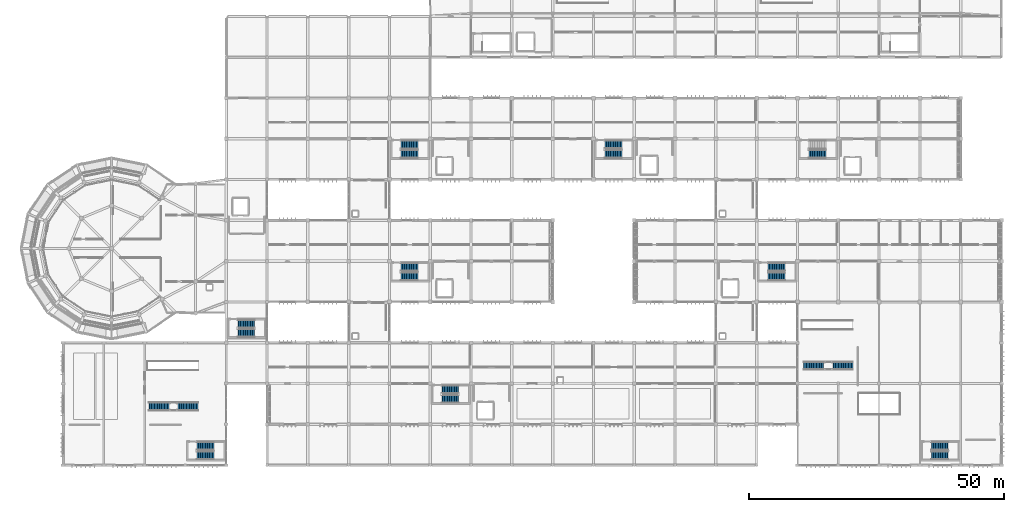
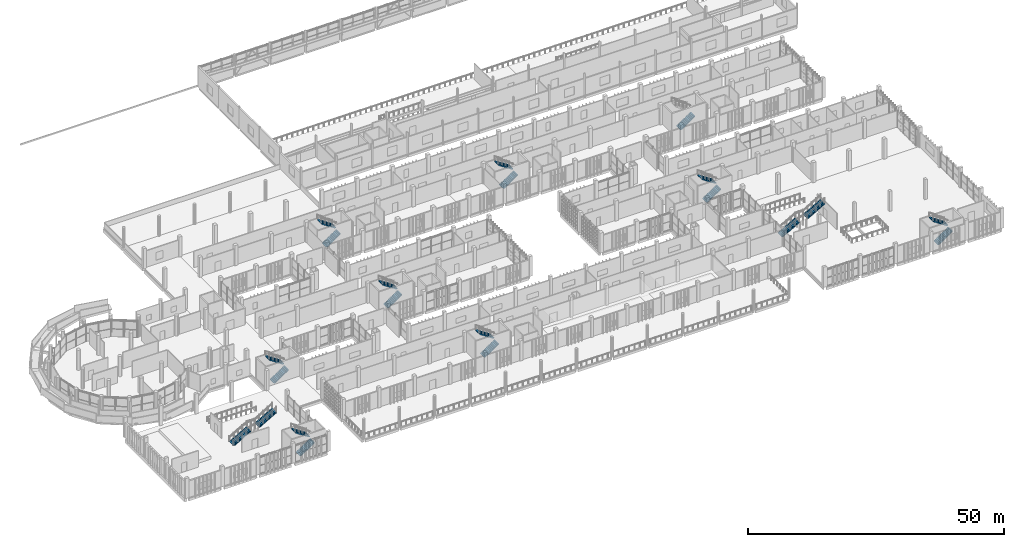
# One storey, part 93 of 106: 21 stair flights, 11 elements without a shape of their own.
"""IFC4 building model written with IfcOpenShell, lengths in metres."""

from ifc_helpers import new_model, si_unit, direction, frame, origin, place, context, subcontext, project, spatial, polyline, outline, extrude, material, type_object, element, aggregate, save


model = new_model("IFC4")

# Units and contexts
model_context = context("Model", 3, precision=1e-05, world=origin(), true_north=direction((0.0, 1.0)))
body_context = subcontext(model_context, "Body", "Model", "MODEL_VIEW")
ifc_project = project(units=[si_unit("LENGTHUNIT", "METRE"), si_unit("AREAUNIT", "SQUARE_METRE"), si_unit("VOLUMEUNIT", "CUBIC_METRE"), si_unit("PLANEANGLEUNIT", "RADIAN"), si_unit("MASSUNIT", "GRAM", prefix="KILO")], contexts=[model_context])

# Site, building, storey
site_placement = place(None, origin())
site = spatial("IfcSite", under=ifc_project, at=site_placement, CompositionType="ELEMENT")
building_placement = place(site_placement, origin())
building = spatial("IfcBuilding", under=site, at=building_placement, Name="Jelvoka-Kovrelna Polytechnic", CompositionType="ELEMENT")
storey_placement = place(building_placement, frame((0.0, 0.0, 4.800048828125)))
storey = spatial("IfcBuildingStorey", under=building, at=storey_placement, Name="L02", CompositionType="ELEMENT", Elevation=4.800048828125)

# Stair, stair flights
ifc_material_1 = material(Name="Concrete C35/45", Category="concrete")
stair_type_1 = type_object("IfcStairType", Name="Stair_Straight_1650", PredefinedType="STRAIGHT_RUN_STAIR", material=ifc_material_1)
stair_1_placement = place(storey_placement, origin())
stair_1 = element("IfcStair", 1, at=stair_1_placement, inside=storey, type_object=stair_type_1, Name="L02 straight feature stair ST15", PredefinedType="STRAIGHT_RUN_STAIR")
ifc_material_2 = material(Name="Concrete C35/45", Category="concrete")
stair_flight_type_1 = type_object("IfcStairFlightType", Name="Flight_RC_160", PredefinedType="STRAIGHT", material=ifc_material_2)
stair_flight_1_placement = place(storey_placement, frame((32.800048828125, 11.5, 0.0), z_axis=(0.0, 0.0, 1.0), x_axis=(1.0, 0.0, 0.0)))
stair_flight_1 = element("IfcStairFlight", 2, at=stair_flight_1_placement, type_object=stair_flight_type_1, Name="ST15 flight 1", NumberOfRisers=15, NumberOfTreads=14, PredefinedType="STRAIGHT", RiserHeight=0.16, TreadLength=0.28, context=body_context, shape_type="SweptSolid", body=[
    extrude(outline(polyline([(0.0, 0.0), (0.0, 0.159912109375), (0.280029296875, 0.159912109375), (0.280029296875, 0.320068359375), (0.56005859375, 0.320068359375), (0.56005859375, 0.47998046875), (0.840087890625, 0.47998046875), (0.840087890625, 0.639892578125), (1.1201171875, 0.639892578125), (1.1201171875, 0.800048828125), (1.39990234375, 0.800048828125), (1.39990234375, 0.9599609375), (1.679931640625, 0.9599609375), (1.679931640625, 1.1201171875), (1.9599609375, 1.1201171875), (1.9599609375, 1.280029296875), (2.239990234375, 1.280029296875), (2.239990234375, 1.43994140625), (2.52001953125, 1.43994140625), (2.52001953125, 1.60009765625), (2.800048828125, 1.60009765625), (2.800048828125, 1.760009765625), (3.080078125, 1.760009765625), (3.080078125, 1.919921875), (3.360107421875, 1.919921875), (3.360107421875, 2.080078125), (3.639892578125, 2.080078125), (3.639892578125, 2.239990234375), (3.919921875, 2.239990234375), (3.919921875, 2.39990234375), (3.919921875, 2.03271484375), (0.362548828125, 0.0), (0.0, 0.0)])), frame((0.0, 0.824951171875, 0.0), z_axis=(0.0, -1.0, 0.0), x_axis=(1.0, 0.0, 0.0)), (0.0, 0.0, 1.0), 1.64990234375),
])
stair_flight_2_placement = place(storey_placement, frame((38.52001953125, 11.5, 2.39990234375), z_axis=(0.0, 0.0, 1.0), x_axis=(1.0, 0.0, 0.0)))
stair_flight_2 = element("IfcStairFlight", 3, at=stair_flight_2_placement, type_object=stair_flight_type_1, Name="ST15 flight 2", NumberOfRisers=15, NumberOfTreads=14, PredefinedType="STRAIGHT", RiserHeight=0.16, TreadLength=0.28, context=body_context, shape_type="SweptSolid", body=[
    extrude(outline(polyline([(0.0, 0.0), (0.0, 0.159912109375), (0.280029296875, 0.159912109375), (0.280029296875, 0.320068359375), (0.56005859375, 0.320068359375), (0.56005859375, 0.47998046875), (0.840087890625, 0.47998046875), (0.840087890625, 0.639892578125), (1.1201171875, 0.639892578125), (1.1201171875, 0.800048828125), (1.39990234375, 0.800048828125), (1.39990234375, 0.9599609375), (1.679931640625, 0.9599609375), (1.679931640625, 1.1201171875), (1.9599609375, 1.1201171875), (1.9599609375, 1.280029296875), (2.239990234375, 1.280029296875), (2.239990234375, 1.43994140625), (2.52001953125, 1.43994140625), (2.52001953125, 1.60009765625), (2.800048828125, 1.60009765625), (2.800048828125, 1.760009765625), (3.080078125, 1.760009765625), (3.080078125, 1.919921875), (3.360107421875, 1.919921875), (3.360107421875, 2.080078125), (3.639892578125, 2.080078125), (3.639892578125, 2.239990234375), (3.919921875, 2.239990234375), (3.919921875, 2.39990234375), (3.919921875, 2.03271484375), (0.362548828125, 0.0), (0.0, 0.0)])), frame((0.0, 0.824951171875, 0.0), z_axis=(0.0, -1.0, 0.0), x_axis=(1.0, 0.0, 0.0)), (0.0, 0.0, 1.0), 1.64990234375),
])
aggregate(stair_1, [stair_flight_1, stair_flight_2])

stair_2_placement = place(storey_placement, origin())
stair_2 = element("IfcStair", 4, at=stair_2_placement, inside=storey, type_object=stair_type_1, Name="L02 straight feature stair ST17", PredefinedType="STRAIGHT_RUN_STAIR")
stair_flight_3_placement = place(storey_placement, frame((161.199951171875, 19.5, 0.0), z_axis=(0.0, 0.0, 1.0), x_axis=(1.0, 0.0, 0.0)))
stair_flight_3 = element("IfcStairFlight", 5, at=stair_flight_3_placement, type_object=stair_flight_type_1, Name="ST17 flight 1", NumberOfRisers=15, NumberOfTreads=14, PredefinedType="STRAIGHT", RiserHeight=0.16, TreadLength=0.28, context=body_context, shape_type="SweptSolid", body=[
    extrude(outline(polyline([(0.0, 0.0), (0.0, 0.159912109375), (0.280029296875, 0.159912109375), (0.280029296875, 0.320068359375), (0.56005859375, 0.320068359375), (0.56005859375, 0.47998046875), (0.840087890625, 0.47998046875), (0.840087890625, 0.639892578125), (1.1201171875, 0.639892578125), (1.1201171875, 0.800048828125), (1.39990234375, 0.800048828125), (1.39990234375, 0.9599609375), (1.679931640625, 0.9599609375), (1.679931640625, 1.1201171875), (1.9599609375, 1.1201171875), (1.9599609375, 1.280029296875), (2.239990234375, 1.280029296875), (2.239990234375, 1.43994140625), (2.52001953125, 1.43994140625), (2.52001953125, 1.60009765625), (2.800048828125, 1.60009765625), (2.800048828125, 1.760009765625), (3.080078125, 1.760009765625), (3.080078125, 1.919921875), (3.360107421875, 1.919921875), (3.360107421875, 2.080078125), (3.639892578125, 2.080078125), (3.639892578125, 2.239990234375), (3.919921875, 2.239990234375), (3.919921875, 2.39990234375), (3.919921875, 2.03271484375), (0.362548828125, 0.0), (0.0, 0.0)])), frame((0.0, 0.824951171875, 0.0), z_axis=(0.0, -1.0, 0.0), x_axis=(1.0, 0.0, 0.0)), (0.0, 0.0, 1.0), 1.64990234375),
])
stair_flight_4_placement = place(storey_placement, frame((166.919921875, 19.5, 2.39990234375), z_axis=(0.0, 0.0, 1.0), x_axis=(1.0, 0.0, 0.0)))
stair_flight_4 = element("IfcStairFlight", 6, at=stair_flight_4_placement, type_object=stair_flight_type_1, Name="ST17 flight 2", NumberOfRisers=15, NumberOfTreads=14, PredefinedType="STRAIGHT", RiserHeight=0.16, TreadLength=0.28, context=body_context, shape_type="SweptSolid", body=[
    extrude(outline(polyline([(0.0, 0.0), (0.0, 0.159912109375), (0.280029296875, 0.159912109375), (0.280029296875, 0.320068359375), (0.56005859375, 0.320068359375), (0.56005859375, 0.47998046875), (0.840087890625, 0.47998046875), (0.840087890625, 0.639892578125), (1.1201171875, 0.639892578125), (1.1201171875, 0.800048828125), (1.39990234375, 0.800048828125), (1.39990234375, 0.9599609375), (1.679931640625, 0.9599609375), (1.679931640625, 1.1201171875), (1.9599609375, 1.1201171875), (1.9599609375, 1.280029296875), (2.239990234375, 1.280029296875), (2.239990234375, 1.43994140625), (2.52001953125, 1.43994140625), (2.52001953125, 1.60009765625), (2.800048828125, 1.60009765625), (2.800048828125, 1.760009765625), (3.080078125, 1.760009765625), (3.080078125, 1.919921875), (3.360107421875, 1.919921875), (3.360107421875, 2.080078125), (3.639892578125, 2.080078125), (3.639892578125, 2.239990234375), (3.919921875, 2.239990234375), (3.919921875, 2.39990234375), (3.919921875, 2.03271484375), (0.362548828125, 0.0), (0.0, 0.0)])), frame((0.0, 0.824951171875, 0.0), z_axis=(0.0, -1.0, 0.0), x_axis=(1.0, 0.0, 0.0)), (0.0, 0.0, 1.0), 1.64990234375),
])
aggregate(stair_2, [stair_flight_3, stair_flight_4])

ifc_material_3 = material(Name="Concrete C35/45", Category="concrete")
stair_type_2 = type_object("IfcStairType", Name="Stair_Dogleg_1620", PredefinedType="TWO_STRAIGHT_RUN_STAIR", material=ifc_material_3)
stair_3_placement = place(storey_placement, origin())
stair_3 = element("IfcStair", 7, at=stair_3_placement, inside=storey, type_object=stair_type_2, Name="L02 ST03", PredefinedType="TWO_STRAIGHT_RUN_STAIR")
ifc_material_4 = material(Name="Concrete C35/45", Category="concrete")
stair_flight_type_2 = type_object("IfcStairFlightType", Name="Flight_RC_185", PredefinedType="STRAIGHT", material=ifc_material_4)
stair_flight_5_placement = place(storey_placement, frame((50.25, 25.909912109375, 0.0), z_axis=(0.0, 0.0, 1.0), x_axis=(1.0, 0.0, 0.0)))
stair_flight_5 = element("IfcStairFlight", 8, at=stair_flight_5_placement, type_object=stair_flight_type_2, Name="ST03 flight 1", NumberOfRisers=13, NumberOfTreads=12, PredefinedType="STRAIGHT", RiserHeight=0.184615385, TreadLength=0.275, context=body_context, shape_type="SweptSolid", body=[
    extrude(outline(polyline([(0.0, 0.0), (0.0, 0.1845703125), (0.27490234375, 0.1845703125), (0.27490234375, 0.369140625), (0.550048828125, 0.369140625), (0.550048828125, 0.553955078125), (0.824951171875, 0.553955078125), (0.824951171875, 0.738525390625), (1.10009765625, 0.738525390625), (1.10009765625, 0.923095703125), (1.375, 0.923095703125), (1.375, 1.107666015625), (1.64990234375, 1.107666015625), (1.64990234375, 1.292236328125), (1.925048828125, 1.292236328125), (1.925048828125, 1.476806640625), (2.199951171875, 1.476806640625), (2.199951171875, 1.66162109375), (2.47509765625, 1.66162109375), (2.47509765625, 1.84619140625), (2.75, 1.84619140625), (2.75, 2.03076171875), (3.02490234375, 2.03076171875), (3.02490234375, 2.21533203125), (3.300048828125, 2.21533203125), (3.300048828125, 2.39990234375), (3.300048828125, 1.998779296875), (0.32275390625, 0.0), (0.0, 0.0)])), frame((0.0, 0.81005859375, 0.0), z_axis=(0.0, -1.0, 0.0), x_axis=(1.0, 0.0, 0.0)), (0.0, 0.0, 1.0), 1.6201171875),
])
stair_flight_6_placement = place(storey_placement, frame((53.550048828125, 27.72998046875, 2.39990234375), z_axis=(0.0, 0.0, 1.0), x_axis=(-1.0, 0.0, 0.0)))
stair_flight_6 = element("IfcStairFlight", 9, at=stair_flight_6_placement, type_object=stair_flight_type_2, Name="ST03 flight 2", NumberOfRisers=13, NumberOfTreads=12, PredefinedType="STRAIGHT", RiserHeight=0.184615385, TreadLength=0.275, context=body_context, shape_type="SweptSolid", body=[
    extrude(outline(polyline([(0.0, 0.0), (0.0, 0.1845703125), (0.27490234375, 0.1845703125), (0.27490234375, 0.369140625), (0.550048828125, 0.369140625), (0.550048828125, 0.553955078125), (0.824951171875, 0.553955078125), (0.824951171875, 0.738525390625), (1.10009765625, 0.738525390625), (1.10009765625, 0.923095703125), (1.375, 0.923095703125), (1.375, 1.107666015625), (1.64990234375, 1.107666015625), (1.64990234375, 1.292236328125), (1.925048828125, 1.292236328125), (1.925048828125, 1.476806640625), (2.199951171875, 1.476806640625), (2.199951171875, 1.66162109375), (2.47509765625, 1.66162109375), (2.47509765625, 1.84619140625), (2.75, 1.84619140625), (2.75, 2.03076171875), (3.02490234375, 2.03076171875), (3.02490234375, 2.21533203125), (3.300048828125, 2.21533203125), (3.300048828125, 2.39990234375), (3.300048828125, 1.998779296875), (0.32275390625, 0.0), (0.0, 0.0)])), frame((0.0, 0.81005859375, 0.0), z_axis=(0.0, -1.0, 0.0), x_axis=(1.0, 0.0, 0.0)), (0.0, 0.0, 1.0), 1.6201171875),
])
aggregate(stair_3, [stair_flight_5, stair_flight_6])

stair_4_placement = place(storey_placement, origin())
stair_4 = element("IfcStair", 10, at=stair_4_placement, inside=storey, type_object=stair_type_2, Name="L02 ST04", PredefinedType="TWO_STRAIGHT_RUN_STAIR")
stair_flight_7_placement = place(storey_placement, frame((42.25, 1.909912109375, 0.0), z_axis=(0.0, 0.0, 1.0), x_axis=(1.0, 0.0, 0.0)))
stair_flight_7 = element("IfcStairFlight", 11, at=stair_flight_7_placement, type_object=stair_flight_type_2, Name="ST04 flight 1", NumberOfRisers=13, NumberOfTreads=12, PredefinedType="STRAIGHT", RiserHeight=0.184615385, TreadLength=0.275, context=body_context, shape_type="SweptSolid", body=[
    extrude(outline(polyline([(0.0, 0.0), (0.0, 0.1845703125), (0.27490234375, 0.1845703125), (0.27490234375, 0.369140625), (0.550048828125, 0.369140625), (0.550048828125, 0.553955078125), (0.824951171875, 0.553955078125), (0.824951171875, 0.738525390625), (1.10009765625, 0.738525390625), (1.10009765625, 0.923095703125), (1.375, 0.923095703125), (1.375, 1.107666015625), (1.64990234375, 1.107666015625), (1.64990234375, 1.292236328125), (1.925048828125, 1.292236328125), (1.925048828125, 1.476806640625), (2.199951171875, 1.476806640625), (2.199951171875, 1.66162109375), (2.47509765625, 1.66162109375), (2.47509765625, 1.84619140625), (2.75, 1.84619140625), (2.75, 2.03076171875), (3.02490234375, 2.03076171875), (3.02490234375, 2.21533203125), (3.300048828125, 2.21533203125), (3.300048828125, 2.39990234375), (3.300048828125, 1.998779296875), (0.32275390625, 0.0), (0.0, 0.0)])), frame((0.0, 0.81005859375, 0.0), z_axis=(0.0, -1.0, 0.0), x_axis=(1.0, 0.0, 0.0)), (0.0, 0.0, 1.0), 1.6201171875),
])
stair_flight_8_placement = place(storey_placement, frame((45.550048828125, 3.72998046875, 2.39990234375), z_axis=(0.0, 0.0, 1.0), x_axis=(-1.0, 0.0, 0.0)))
stair_flight_8 = element("IfcStairFlight", 12, at=stair_flight_8_placement, type_object=stair_flight_type_2, Name="ST04 flight 2", NumberOfRisers=13, NumberOfTreads=12, PredefinedType="STRAIGHT", RiserHeight=0.184615385, TreadLength=0.275, context=body_context, shape_type="SweptSolid", body=[
    extrude(outline(polyline([(0.0, 0.0), (0.0, 0.1845703125), (0.27490234375, 0.1845703125), (0.27490234375, 0.369140625), (0.550048828125, 0.369140625), (0.550048828125, 0.553955078125), (0.824951171875, 0.553955078125), (0.824951171875, 0.738525390625), (1.10009765625, 0.738525390625), (1.10009765625, 0.923095703125), (1.375, 0.923095703125), (1.375, 1.107666015625), (1.64990234375, 1.107666015625), (1.64990234375, 1.292236328125), (1.925048828125, 1.292236328125), (1.925048828125, 1.476806640625), (2.199951171875, 1.476806640625), (2.199951171875, 1.66162109375), (2.47509765625, 1.66162109375), (2.47509765625, 1.84619140625), (2.75, 1.84619140625), (2.75, 2.03076171875), (3.02490234375, 2.03076171875), (3.02490234375, 2.21533203125), (3.300048828125, 2.21533203125), (3.300048828125, 2.39990234375), (3.300048828125, 1.998779296875), (0.32275390625, 0.0), (0.0, 0.0)])), frame((0.0, 0.81005859375, 0.0), z_axis=(0.0, -1.0, 0.0), x_axis=(1.0, 0.0, 0.0)), (0.0, 0.0, 1.0), 1.6201171875),
])
aggregate(stair_4, [stair_flight_7, stair_flight_8])

stair_5_placement = place(storey_placement, origin())
stair_5 = element("IfcStair", 13, at=stair_5_placement, inside=storey, type_object=stair_type_2, Name="L02 ST05", PredefinedType="TWO_STRAIGHT_RUN_STAIR")
stair_flight_9_placement = place(storey_placement, frame((186.25, 1.909912109375, 0.0), z_axis=(0.0, 0.0, 1.0), x_axis=(1.0, 0.0, 0.0)))
stair_flight_9 = element("IfcStairFlight", 14, at=stair_flight_9_placement, type_object=stair_flight_type_2, Name="ST05 flight 1", NumberOfRisers=13, NumberOfTreads=12, PredefinedType="STRAIGHT", RiserHeight=0.184615385, TreadLength=0.275, context=body_context, shape_type="SweptSolid", body=[
    extrude(outline(polyline([(0.0, 0.0), (0.0, 0.1845703125), (0.27490234375, 0.1845703125), (0.27490234375, 0.369140625), (0.550048828125, 0.369140625), (0.550048828125, 0.553955078125), (0.824951171875, 0.553955078125), (0.824951171875, 0.738525390625), (1.10009765625, 0.738525390625), (1.10009765625, 0.923095703125), (1.375, 0.923095703125), (1.375, 1.107666015625), (1.64990234375, 1.107666015625), (1.64990234375, 1.292236328125), (1.925048828125, 1.292236328125), (1.925048828125, 1.476806640625), (2.199951171875, 1.476806640625), (2.199951171875, 1.66162109375), (2.47509765625, 1.66162109375), (2.47509765625, 1.84619140625), (2.75, 1.84619140625), (2.75, 2.03076171875), (3.02490234375, 2.03076171875), (3.02490234375, 2.21533203125), (3.300048828125, 2.21533203125), (3.300048828125, 2.39990234375), (3.300048828125, 1.998779296875), (0.32275390625, 0.0), (0.0, 0.0)])), frame((0.0, 0.81005859375, 0.0), z_axis=(0.0, -1.0, 0.0), x_axis=(1.0, 0.0, 0.0)), (0.0, 0.0, 1.0), 1.6201171875),
])
stair_flight_10_placement = place(storey_placement, frame((189.550048828125, 3.72998046875, 2.39990234375), z_axis=(0.0, 0.0, 1.0), x_axis=(-1.0, 0.0, 0.0)))
stair_flight_10 = element("IfcStairFlight", 15, at=stair_flight_10_placement, type_object=stair_flight_type_2, Name="ST05 flight 2", NumberOfRisers=13, NumberOfTreads=12, PredefinedType="STRAIGHT", RiserHeight=0.184615385, TreadLength=0.275, context=body_context, shape_type="SweptSolid", body=[
    extrude(outline(polyline([(0.0, 0.0), (0.0, 0.1845703125), (0.27490234375, 0.1845703125), (0.27490234375, 0.369140625), (0.550048828125, 0.369140625), (0.550048828125, 0.553955078125), (0.824951171875, 0.553955078125), (0.824951171875, 0.738525390625), (1.10009765625, 0.738525390625), (1.10009765625, 0.923095703125), (1.375, 0.923095703125), (1.375, 1.107666015625), (1.64990234375, 1.107666015625), (1.64990234375, 1.292236328125), (1.925048828125, 1.292236328125), (1.925048828125, 1.476806640625), (2.199951171875, 1.476806640625), (2.199951171875, 1.66162109375), (2.47509765625, 1.66162109375), (2.47509765625, 1.84619140625), (2.75, 1.84619140625), (2.75, 2.03076171875), (3.02490234375, 2.03076171875), (3.02490234375, 2.21533203125), (3.300048828125, 2.21533203125), (3.300048828125, 2.39990234375), (3.300048828125, 1.998779296875), (0.32275390625, 0.0), (0.0, 0.0)])), frame((0.0, 0.81005859375, 0.0), z_axis=(0.0, -1.0, 0.0), x_axis=(1.0, 0.0, 0.0)), (0.0, 0.0, 1.0), 1.6201171875),
])
aggregate(stair_5, [stair_flight_9, stair_flight_10])

stair_6_placement = place(storey_placement, origin())
stair_6 = element("IfcStair", 16, at=stair_6_placement, inside=storey, type_object=stair_type_2, Name="L02 ST06", PredefinedType="TWO_STRAIGHT_RUN_STAIR")
stair_flight_11_placement = place(storey_placement, frame((90.25, 13.010009765625, 0.0), z_axis=(0.0, 0.0, 1.0), x_axis=(1.0, 0.0, 0.0)))
stair_flight_11 = element("IfcStairFlight", 17, at=stair_flight_11_placement, type_object=stair_flight_type_2, Name="ST06 flight 1", NumberOfRisers=13, NumberOfTreads=12, PredefinedType="STRAIGHT", RiserHeight=0.184615385, TreadLength=0.275, context=body_context, shape_type="SweptSolid", body=[
    extrude(outline(polyline([(0.0, 0.0), (0.0, 0.1845703125), (0.27490234375, 0.1845703125), (0.27490234375, 0.369140625), (0.550048828125, 0.369140625), (0.550048828125, 0.553955078125), (0.824951171875, 0.553955078125), (0.824951171875, 0.738525390625), (1.10009765625, 0.738525390625), (1.10009765625, 0.923095703125), (1.375, 0.923095703125), (1.375, 1.107666015625), (1.64990234375, 1.107666015625), (1.64990234375, 1.292236328125), (1.925048828125, 1.292236328125), (1.925048828125, 1.476806640625), (2.199951171875, 1.476806640625), (2.199951171875, 1.66162109375), (2.47509765625, 1.66162109375), (2.47509765625, 1.84619140625), (2.75, 1.84619140625), (2.75, 2.03076171875), (3.02490234375, 2.03076171875), (3.02490234375, 2.21533203125), (3.300048828125, 2.21533203125), (3.300048828125, 2.39990234375), (3.300048828125, 1.998779296875), (0.32275390625, 0.0), (0.0, 0.0)])), frame((0.0, 0.81005859375, 0.0), z_axis=(0.0, -1.0, 0.0), x_axis=(1.0, 0.0, 0.0)), (0.0, 0.0, 1.0), 1.6201171875),
])
stair_flight_12_placement = place(storey_placement, frame((93.550048828125, 14.830078125, 2.39990234375), z_axis=(0.0, 0.0, 1.0), x_axis=(-1.0, 0.0, 0.0)))
stair_flight_12 = element("IfcStairFlight", 18, at=stair_flight_12_placement, type_object=stair_flight_type_2, Name="ST06 flight 2", NumberOfRisers=13, NumberOfTreads=12, PredefinedType="STRAIGHT", RiserHeight=0.184615385, TreadLength=0.275, context=body_context, shape_type="SweptSolid", body=[
    extrude(outline(polyline([(0.0, 0.0), (0.0, 0.1845703125), (0.27490234375, 0.1845703125), (0.27490234375, 0.369140625), (0.550048828125, 0.369140625), (0.550048828125, 0.553955078125), (0.824951171875, 0.553955078125), (0.824951171875, 0.738525390625), (1.10009765625, 0.738525390625), (1.10009765625, 0.923095703125), (1.375, 0.923095703125), (1.375, 1.107666015625), (1.64990234375, 1.107666015625), (1.64990234375, 1.292236328125), (1.925048828125, 1.292236328125), (1.925048828125, 1.476806640625), (2.199951171875, 1.476806640625), (2.199951171875, 1.66162109375), (2.47509765625, 1.66162109375), (2.47509765625, 1.84619140625), (2.75, 1.84619140625), (2.75, 2.03076171875), (3.02490234375, 2.03076171875), (3.02490234375, 2.21533203125), (3.300048828125, 2.21533203125), (3.300048828125, 2.39990234375), (3.300048828125, 1.998779296875), (0.32275390625, 0.0), (0.0, 0.0)])), frame((0.0, 0.81005859375, 0.0), z_axis=(0.0, -1.0, 0.0), x_axis=(1.0, 0.0, 0.0)), (0.0, 0.0, 1.0), 1.6201171875),
])
aggregate(stair_6, [stair_flight_11, stair_flight_12])

stair_7_placement = place(storey_placement, origin())
stair_7 = element("IfcStair", 19, at=stair_7_placement, inside=storey, type_object=stair_type_2, Name="L02 ST07", PredefinedType="TWO_STRAIGHT_RUN_STAIR")
stair_flight_13_placement = place(storey_placement, frame((82.25, 37.010009765625, 0.0), z_axis=(0.0, 0.0, 1.0), x_axis=(1.0, 0.0, 0.0)))
stair_flight_13 = element("IfcStairFlight", 20, at=stair_flight_13_placement, type_object=stair_flight_type_2, Name="ST07 flight 1", NumberOfRisers=13, NumberOfTreads=12, PredefinedType="STRAIGHT", RiserHeight=0.184615385, TreadLength=0.275, context=body_context, shape_type="SweptSolid", body=[
    extrude(outline(polyline([(0.0, 0.0), (0.0, 0.1845703125), (0.27490234375, 0.1845703125), (0.27490234375, 0.369140625), (0.550048828125, 0.369140625), (0.550048828125, 0.553955078125), (0.824951171875, 0.553955078125), (0.824951171875, 0.738525390625), (1.10009765625, 0.738525390625), (1.10009765625, 0.923095703125), (1.375, 0.923095703125), (1.375, 1.107666015625), (1.64990234375, 1.107666015625), (1.64990234375, 1.292236328125), (1.925048828125, 1.292236328125), (1.925048828125, 1.476806640625), (2.199951171875, 1.476806640625), (2.199951171875, 1.66162109375), (2.47509765625, 1.66162109375), (2.47509765625, 1.84619140625), (2.75, 1.84619140625), (2.75, 2.03076171875), (3.02490234375, 2.03076171875), (3.02490234375, 2.21533203125), (3.300048828125, 2.21533203125), (3.300048828125, 2.39990234375), (3.300048828125, 1.998779296875), (0.32275390625, 0.0), (0.0, 0.0)])), frame((0.0, 0.81005859375, 0.0), z_axis=(0.0, -1.0, 0.0), x_axis=(1.0, 0.0, 0.0)), (0.0, 0.0, 1.0), 1.6201171875),
])
stair_flight_14_placement = place(storey_placement, frame((85.550048828125, 38.830078125, 2.39990234375), z_axis=(0.0, 0.0, 1.0), x_axis=(-1.0, 0.0, 0.0)))
stair_flight_14 = element("IfcStairFlight", 21, at=stair_flight_14_placement, type_object=stair_flight_type_2, Name="ST07 flight 2", NumberOfRisers=13, NumberOfTreads=12, PredefinedType="STRAIGHT", RiserHeight=0.184615385, TreadLength=0.275, context=body_context, shape_type="SweptSolid", body=[
    extrude(outline(polyline([(0.0, 0.0), (0.0, 0.1845703125), (0.27490234375, 0.1845703125), (0.27490234375, 0.369140625), (0.550048828125, 0.369140625), (0.550048828125, 0.553955078125), (0.824951171875, 0.553955078125), (0.824951171875, 0.738525390625), (1.10009765625, 0.738525390625), (1.10009765625, 0.923095703125), (1.375, 0.923095703125), (1.375, 1.107666015625), (1.64990234375, 1.107666015625), (1.64990234375, 1.292236328125), (1.925048828125, 1.292236328125), (1.925048828125, 1.476806640625), (2.199951171875, 1.476806640625), (2.199951171875, 1.66162109375), (2.47509765625, 1.66162109375), (2.47509765625, 1.84619140625), (2.75, 1.84619140625), (2.75, 2.03076171875), (3.02490234375, 2.03076171875), (3.02490234375, 2.21533203125), (3.300048828125, 2.21533203125), (3.300048828125, 2.39990234375), (3.300048828125, 1.998779296875), (0.32275390625, 0.0), (0.0, 0.0)])), frame((0.0, 0.81005859375, 0.0), z_axis=(0.0, -1.0, 0.0), x_axis=(1.0, 0.0, 0.0)), (0.0, 0.0, 1.0), 1.6201171875),
])
aggregate(stair_7, [stair_flight_13, stair_flight_14])

stair_8_placement = place(storey_placement, origin())
stair_8 = element("IfcStair", 22, at=stair_8_placement, inside=storey, type_object=stair_type_2, Name="L02 ST08", PredefinedType="TWO_STRAIGHT_RUN_STAIR")
stair_flight_15_placement = place(storey_placement, frame((154.25, 37.010009765625, 0.0), z_axis=(0.0, 0.0, 1.0), x_axis=(1.0, 0.0, 0.0)))
stair_flight_15 = element("IfcStairFlight", 23, at=stair_flight_15_placement, type_object=stair_flight_type_2, Name="ST08 flight 1", NumberOfRisers=13, NumberOfTreads=12, PredefinedType="STRAIGHT", RiserHeight=0.184615385, TreadLength=0.275, context=body_context, shape_type="SweptSolid", body=[
    extrude(outline(polyline([(0.0, 0.0), (0.0, 0.1845703125), (0.27490234375, 0.1845703125), (0.27490234375, 0.369140625), (0.550048828125, 0.369140625), (0.550048828125, 0.553955078125), (0.824951171875, 0.553955078125), (0.824951171875, 0.738525390625), (1.10009765625, 0.738525390625), (1.10009765625, 0.923095703125), (1.375, 0.923095703125), (1.375, 1.107666015625), (1.64990234375, 1.107666015625), (1.64990234375, 1.292236328125), (1.925048828125, 1.292236328125), (1.925048828125, 1.476806640625), (2.199951171875, 1.476806640625), (2.199951171875, 1.66162109375), (2.47509765625, 1.66162109375), (2.47509765625, 1.84619140625), (2.75, 1.84619140625), (2.75, 2.03076171875), (3.02490234375, 2.03076171875), (3.02490234375, 2.21533203125), (3.300048828125, 2.21533203125), (3.300048828125, 2.39990234375), (3.300048828125, 1.998779296875), (0.32275390625, 0.0), (0.0, 0.0)])), frame((0.0, 0.81005859375, 0.0), z_axis=(0.0, -1.0, 0.0), x_axis=(1.0, 0.0, 0.0)), (0.0, 0.0, 1.0), 1.6201171875),
])
stair_flight_16_placement = place(storey_placement, frame((157.550048828125, 38.830078125, 2.39990234375), z_axis=(0.0, 0.0, 1.0), x_axis=(-1.0, 0.0, 0.0)))
stair_flight_16 = element("IfcStairFlight", 24, at=stair_flight_16_placement, type_object=stair_flight_type_2, Name="ST08 flight 2", NumberOfRisers=13, NumberOfTreads=12, PredefinedType="STRAIGHT", RiserHeight=0.184615385, TreadLength=0.275, context=body_context, shape_type="SweptSolid", body=[
    extrude(outline(polyline([(0.0, 0.0), (0.0, 0.1845703125), (0.27490234375, 0.1845703125), (0.27490234375, 0.369140625), (0.550048828125, 0.369140625), (0.550048828125, 0.553955078125), (0.824951171875, 0.553955078125), (0.824951171875, 0.738525390625), (1.10009765625, 0.738525390625), (1.10009765625, 0.923095703125), (1.375, 0.923095703125), (1.375, 1.107666015625), (1.64990234375, 1.107666015625), (1.64990234375, 1.292236328125), (1.925048828125, 1.292236328125), (1.925048828125, 1.476806640625), (2.199951171875, 1.476806640625), (2.199951171875, 1.66162109375), (2.47509765625, 1.66162109375), (2.47509765625, 1.84619140625), (2.75, 1.84619140625), (2.75, 2.03076171875), (3.02490234375, 2.03076171875), (3.02490234375, 2.21533203125), (3.300048828125, 2.21533203125), (3.300048828125, 2.39990234375), (3.300048828125, 1.998779296875), (0.32275390625, 0.0), (0.0, 0.0)])), frame((0.0, 0.81005859375, 0.0), z_axis=(0.0, -1.0, 0.0), x_axis=(1.0, 0.0, 0.0)), (0.0, 0.0, 1.0), 1.6201171875),
])
aggregate(stair_8, [stair_flight_15, stair_flight_16])

stair_9_placement = place(storey_placement, origin())
stair_9 = element("IfcStair", 25, at=stair_9_placement, inside=storey, type_object=stair_type_2, Name="L02 ST09", PredefinedType="TWO_STRAIGHT_RUN_STAIR")
stair_flight_17_placement = place(storey_placement, frame((82.25, 61.010009765625, 0.0), z_axis=(0.0, 0.0, 1.0), x_axis=(1.0, 0.0, 0.0)))
stair_flight_17 = element("IfcStairFlight", 26, at=stair_flight_17_placement, type_object=stair_flight_type_2, Name="ST09 flight 1", NumberOfRisers=13, NumberOfTreads=12, PredefinedType="STRAIGHT", RiserHeight=0.184615385, TreadLength=0.275, context=body_context, shape_type="SweptSolid", body=[
    extrude(outline(polyline([(0.0, 0.0), (0.0, 0.1845703125), (0.27490234375, 0.1845703125), (0.27490234375, 0.369140625), (0.550048828125, 0.369140625), (0.550048828125, 0.553955078125), (0.824951171875, 0.553955078125), (0.824951171875, 0.738525390625), (1.10009765625, 0.738525390625), (1.10009765625, 0.923095703125), (1.375, 0.923095703125), (1.375, 1.107666015625), (1.64990234375, 1.107666015625), (1.64990234375, 1.292236328125), (1.925048828125, 1.292236328125), (1.925048828125, 1.476806640625), (2.199951171875, 1.476806640625), (2.199951171875, 1.66162109375), (2.47509765625, 1.66162109375), (2.47509765625, 1.84619140625), (2.75, 1.84619140625), (2.75, 2.03076171875), (3.02490234375, 2.03076171875), (3.02490234375, 2.21533203125), (3.300048828125, 2.21533203125), (3.300048828125, 2.39990234375), (3.300048828125, 1.998779296875), (0.32275390625, 0.0), (0.0, 0.0)])), frame((0.0, 0.81005859375, 0.0), z_axis=(0.0, -1.0, 0.0), x_axis=(1.0, 0.0, 0.0)), (0.0, 0.0, 1.0), 1.6201171875),
])
stair_flight_18_placement = place(storey_placement, frame((85.550048828125, 62.830078125, 2.39990234375), z_axis=(0.0, 0.0, 1.0), x_axis=(-1.0, 0.0, 0.0)))
stair_flight_18 = element("IfcStairFlight", 27, at=stair_flight_18_placement, type_object=stair_flight_type_2, Name="ST09 flight 2", NumberOfRisers=13, NumberOfTreads=12, PredefinedType="STRAIGHT", RiserHeight=0.184615385, TreadLength=0.275, context=body_context, shape_type="SweptSolid", body=[
    extrude(outline(polyline([(0.0, 0.0), (0.0, 0.1845703125), (0.27490234375, 0.1845703125), (0.27490234375, 0.369140625), (0.550048828125, 0.369140625), (0.550048828125, 0.553955078125), (0.824951171875, 0.553955078125), (0.824951171875, 0.738525390625), (1.10009765625, 0.738525390625), (1.10009765625, 0.923095703125), (1.375, 0.923095703125), (1.375, 1.107666015625), (1.64990234375, 1.107666015625), (1.64990234375, 1.292236328125), (1.925048828125, 1.292236328125), (1.925048828125, 1.476806640625), (2.199951171875, 1.476806640625), (2.199951171875, 1.66162109375), (2.47509765625, 1.66162109375), (2.47509765625, 1.84619140625), (2.75, 1.84619140625), (2.75, 2.03076171875), (3.02490234375, 2.03076171875), (3.02490234375, 2.21533203125), (3.300048828125, 2.21533203125), (3.300048828125, 2.39990234375), (3.300048828125, 1.998779296875), (0.32275390625, 0.0), (0.0, 0.0)])), frame((0.0, 0.81005859375, 0.0), z_axis=(0.0, -1.0, 0.0), x_axis=(1.0, 0.0, 0.0)), (0.0, 0.0, 1.0), 1.6201171875),
])
aggregate(stair_9, [stair_flight_17, stair_flight_18])

# Stair, stair flight
stair_10_placement = place(storey_placement, origin())
stair_10 = element("IfcStair", 28, at=stair_10_placement, inside=storey, type_object=stair_type_2, Name="L02 ST10", PredefinedType="TWO_STRAIGHT_RUN_STAIR")
stair_flight_19_placement = place(storey_placement, frame((162.25, 61.010009765625, 0.0), z_axis=(0.0, 0.0, 1.0), x_axis=(1.0, 0.0, 0.0)))
stair_flight_19 = element("IfcStairFlight", 29, at=stair_flight_19_placement, type_object=stair_flight_type_2, Name="ST10 flight 1", NumberOfRisers=13, NumberOfTreads=12, PredefinedType="STRAIGHT", RiserHeight=0.184615385, TreadLength=0.275, context=body_context, shape_type="SweptSolid", body=[
    extrude(outline(polyline([(0.0, 0.0), (0.0, 0.1845703125), (0.27490234375, 0.1845703125), (0.27490234375, 0.369140625), (0.550048828125, 0.369140625), (0.550048828125, 0.553955078125), (0.824951171875, 0.553955078125), (0.824951171875, 0.738525390625), (1.10009765625, 0.738525390625), (1.10009765625, 0.923095703125), (1.375, 0.923095703125), (1.375, 1.107666015625), (1.64990234375, 1.107666015625), (1.64990234375, 1.292236328125), (1.925048828125, 1.292236328125), (1.925048828125, 1.476806640625), (2.199951171875, 1.476806640625), (2.199951171875, 1.66162109375), (2.47509765625, 1.66162109375), (2.47509765625, 1.84619140625), (2.75, 1.84619140625), (2.75, 2.03076171875), (3.02490234375, 2.03076171875), (3.02490234375, 2.21533203125), (3.300048828125, 2.21533203125), (3.300048828125, 2.39990234375), (3.300048828125, 1.998779296875), (0.32275390625, 0.0), (0.0, 0.0)])), frame((0.0, 0.81005859375, 0.0), z_axis=(0.0, -1.0, 0.0), x_axis=(1.0, 0.0, 0.0)), (0.0, 0.0, 1.0), 1.6201171875),
])
aggregate(stair_10, [stair_flight_19])

# Stair, stair flights
ifc_material_5 = material(Name="Concrete C35/45", Category="concrete")
stair_type_3 = type_object("IfcStairType", Name="Stair_Dogleg_1580", PredefinedType="TWO_STRAIGHT_RUN_STAIR", material=ifc_material_5)
stair_11_placement = place(storey_placement, origin())
stair_11 = element("IfcStair", 30, at=stair_11_placement, inside=storey, type_object=stair_type_3, Name="L02 ST11", PredefinedType="TWO_STRAIGHT_RUN_STAIR")
stair_flight_20_placement = place(storey_placement, frame((122.25, 60.989990234375, 0.0), z_axis=(0.0, 0.0, 1.0), x_axis=(1.0, 0.0, 0.0)))
stair_flight_20 = element("IfcStairFlight", 31, at=stair_flight_20_placement, type_object=stair_flight_type_2, Name="ST11 flight 1", NumberOfRisers=13, NumberOfTreads=12, PredefinedType="STRAIGHT", RiserHeight=0.184615385, TreadLength=0.275, context=body_context, shape_type="SweptSolid", body=[
    extrude(outline(polyline([(0.0, 0.0), (0.0, 0.1845703125), (0.27490234375, 0.1845703125), (0.27490234375, 0.369140625), (0.550048828125, 0.369140625), (0.550048828125, 0.553955078125), (0.824951171875, 0.553955078125), (0.824951171875, 0.738525390625), (1.10009765625, 0.738525390625), (1.10009765625, 0.923095703125), (1.375, 0.923095703125), (1.375, 1.107666015625), (1.64990234375, 1.107666015625), (1.64990234375, 1.292236328125), (1.925048828125, 1.292236328125), (1.925048828125, 1.476806640625), (2.199951171875, 1.476806640625), (2.199951171875, 1.66162109375), (2.47509765625, 1.66162109375), (2.47509765625, 1.84619140625), (2.75, 1.84619140625), (2.75, 2.03076171875), (3.02490234375, 2.03076171875), (3.02490234375, 2.21533203125), (3.300048828125, 2.21533203125), (3.300048828125, 2.39990234375), (3.300048828125, 1.998779296875), (0.32275390625, 0.0), (0.0, 0.0)])), frame((0.0, 0.7900390625, 0.0), z_axis=(0.0, -1.0, 0.0), x_axis=(1.0, 0.0, 0.0)), (0.0, 0.0, 1.0), 1.580078125),
])
stair_flight_21_placement = place(storey_placement, frame((125.550048828125, 62.85009765625, 2.39990234375), z_axis=(0.0, 0.0, 1.0), x_axis=(-1.0, 0.0, 0.0)))
stair_flight_21 = element("IfcStairFlight", 32, at=stair_flight_21_placement, type_object=stair_flight_type_2, Name="ST11 flight 2", NumberOfRisers=13, NumberOfTreads=12, PredefinedType="STRAIGHT", RiserHeight=0.184615385, TreadLength=0.275, context=body_context, shape_type="SweptSolid", body=[
    extrude(outline(polyline([(0.0, 0.0), (0.0, 0.1845703125), (0.27490234375, 0.1845703125), (0.27490234375, 0.369140625), (0.550048828125, 0.369140625), (0.550048828125, 0.553955078125), (0.824951171875, 0.553955078125), (0.824951171875, 0.738525390625), (1.10009765625, 0.738525390625), (1.10009765625, 0.923095703125), (1.375, 0.923095703125), (1.375, 1.107666015625), (1.64990234375, 1.107666015625), (1.64990234375, 1.292236328125), (1.925048828125, 1.292236328125), (1.925048828125, 1.476806640625), (2.199951171875, 1.476806640625), (2.199951171875, 1.66162109375), (2.47509765625, 1.66162109375), (2.47509765625, 1.84619140625), (2.75, 1.84619140625), (2.75, 2.03076171875), (3.02490234375, 2.03076171875), (3.02490234375, 2.21533203125), (3.300048828125, 2.21533203125), (3.300048828125, 2.39990234375), (3.300048828125, 1.998779296875), (0.32275390625, 0.0), (0.0, 0.0)])), frame((0.0, 0.7900390625, 0.0), z_axis=(0.0, -1.0, 0.0), x_axis=(1.0, 0.0, 0.0)), (0.0, 0.0, 1.0), 1.580078125),
])
aggregate(stair_11, [stair_flight_20, stair_flight_21])

save(model, "model.ifc")
